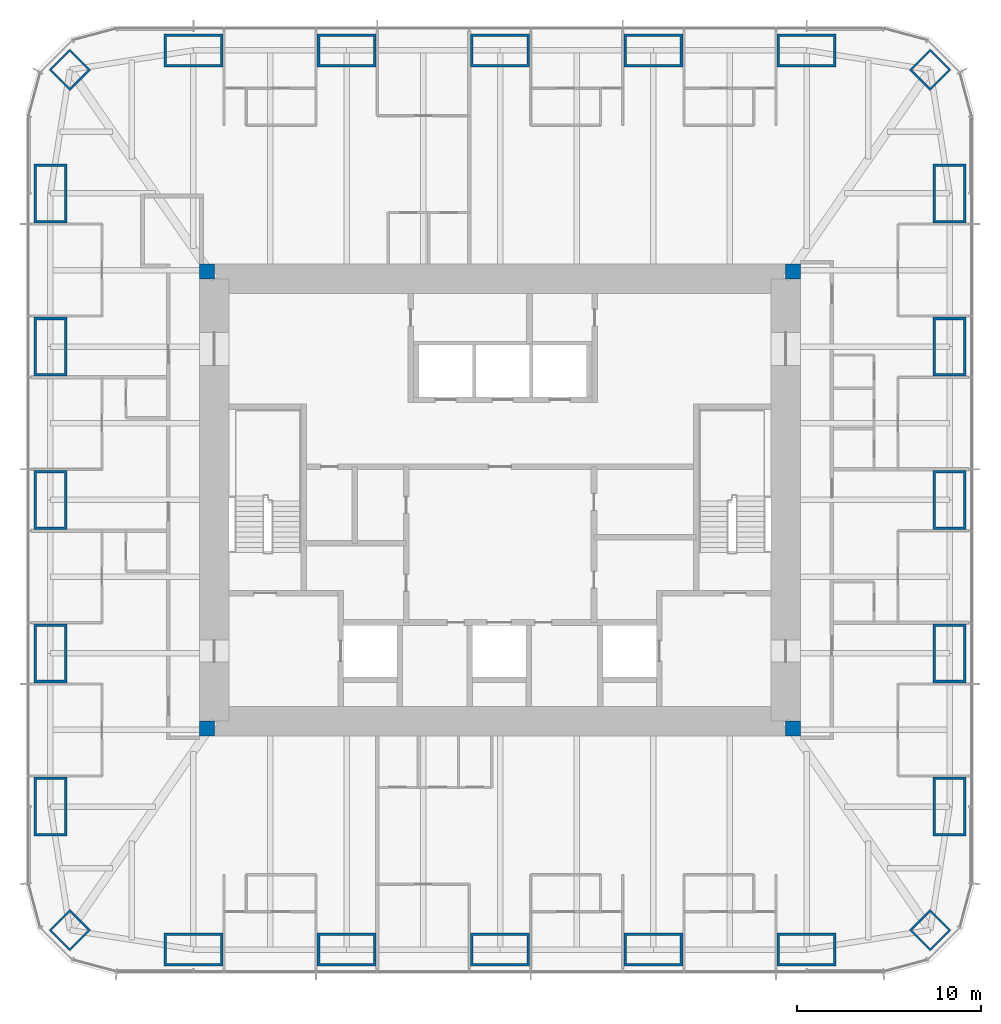
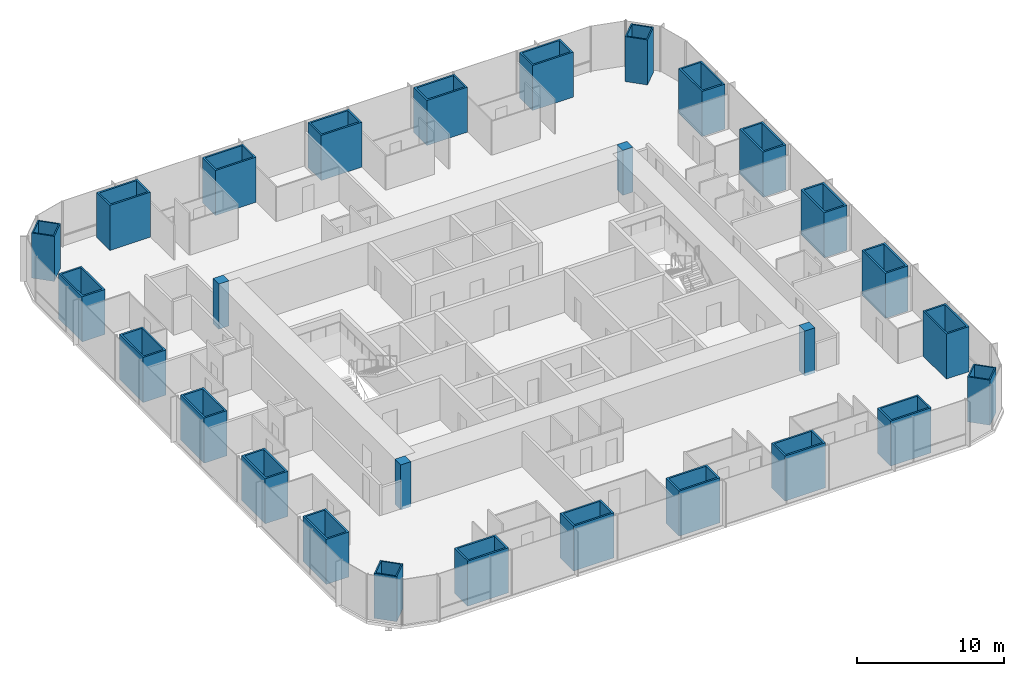
# One storey, part 1 of 13: 28 columns.
"""IFC4 building model written with IfcOpenShell, lengths in metres."""

from ifc_helpers import new_model, si_unit, direction, frame, origin, origin_2d, place, context, subcontext, project, spatial, rectangle, hollow_rectangle, extrude, material, material_profile, profile_set, type_object, element, save


model = new_model("IFC4")

# Units and contexts
model_context = context("Model", 3, precision=1e-05, world=origin(), true_north=direction((0.0, 1.0)))
body_context = subcontext(model_context, "Body", "Model", "MODEL_VIEW")
ifc_project = project(units=[si_unit("LENGTHUNIT", "METRE"), si_unit("AREAUNIT", "SQUARE_METRE"), si_unit("VOLUMEUNIT", "CUBIC_METRE"), si_unit("PLANEANGLEUNIT", "RADIAN"), si_unit("MASSUNIT", "GRAM", prefix="KILO")], contexts=[model_context])

# Site, building, storey
site_placement = place(None, origin())
site = spatial("IfcSite", under=ifc_project, at=site_placement, CompositionType="ELEMENT")
building_placement = place(site_placement, origin())
building = spatial("IfcBuilding", under=site, at=building_placement, Name="Khuree Lantern Residences", CompositionType="ELEMENT")
storey_placement = place(building_placement, frame((0.0, 0.0, 263.25)))
storey = spatial("IfcBuildingStorey", under=building, at=storey_placement, Name="L66", CompositionType="ELEMENT", Elevation=263.25)

# Columns
ifc_material_1 = material(Name="Steel S355 CFT welded box", Category="steel")
ifc_material_profile_1 = material_profile(ifc_material_1, hollow_rectangle(XDim=1.60009765625, YDim=1.60009765625, WallThickness=0.10009765625, at=origin_2d()), Name="WELDED BOX 1600X1600X100")
ifc_profile_set_1 = profile_set([ifc_material_profile_1], Name="Steel S355 CFT welded box")
column_type_1 = type_object("IfcColumnType", Name="CC1600 PERIMETER CORNER MEGA COLUMN WELDED BOX 1600X1600X100", PredefinedType="COLUMN", material=ifc_profile_set_1)
for number, where, z_axis, x_axis, name in (
    (1, (23.345703125, 23.345703125, 0.0), (0.0, 0.0, 1.0), (0.707106781187, -0.707106781187, 0.0), "Perimeter column NE"),
    (2, (23.345703125, -23.345703125, 0.0), (0.0, 0.0, 1.0), (0.707106781187, 0.707106781187, 0.0), "Perimeter column SE"),
    (3, (-23.345703125, -23.345703125, 0.0), (0.0, 0.0, 1.0), (0.707106781187, -0.707106781187, 0.0), "Perimeter column SW"),
    (4, (-23.345703125, 23.345703125, 0.0), (0.0, 0.0, 1.0), (0.707106781187, 0.707106781187, 0.0), "Perimeter column NW"),
):
    element("IfcColumn", number, at=place(storey_placement, frame(where, z_axis=z_axis, x_axis=x_axis)), inside=storey, type_object=column_type_1, Name=name, PredefinedType="COLUMN", context=body_context, shape_type="SweptSolid", body=[
        extrude(hollow_rectangle(XDim=1.60009765625, YDim=1.60009765625, WallThickness=0.10009765625, at=origin_2d()), origin(), (0.0, 0.0, 1.0), 3.75),
    ])
ifc_material_2 = material(Name="Concrete C50/60", Category="concrete")
ifc_material_profile_2 = material_profile(ifc_material_2, rectangle(XDim=0.800048828125, YDim=0.800048828125, at=origin_2d()), Name="RC 800X800")
ifc_profile_set_2 = profile_set([ifc_material_profile_2], Name="Concrete C50/60")
column_type_2 = type_object("IfcColumnType", Name="CP800-C50 CORE CORNER PIER C50 RC 800X800", PredefinedType="COLUMN", material=ifc_profile_set_2)
for number, where, z_axis, x_axis, name in (
    (5, (15.89990234375, 12.39990234375, -0.25), (0.0, 0.0, 1.0), (1.0, 0.0, 0.0), "Core corner pier NE"),
    (6, (-15.89990234375, 12.39990234375, -0.25), (0.0, 0.0, 1.0), (1.0, 0.0, 0.0), "Core corner pier NW"),
    (7, (-15.89990234375, -12.39990234375, -0.25), (0.0, 0.0, 1.0), (1.0, 0.0, 0.0), "Core corner pier SW"),
    (8, (15.89990234375, -12.39990234375, -0.25), (0.0, 0.0, 1.0), (1.0, 0.0, 0.0), "Core corner pier SE"),
):
    element("IfcColumn", number, at=place(storey_placement, frame(where, z_axis=z_axis, x_axis=x_axis)), inside=storey, type_object=column_type_2, Name=name, PredefinedType="COLUMN", context=body_context, shape_type="SweptSolid", body=[
        extrude(rectangle(XDim=0.800048828125, YDim=0.800048828125, at=origin_2d()), origin(), (0.0, 0.0, 1.0), 3.75),
    ])
ifc_material_profile_3 = material_profile(ifc_material_1, hollow_rectangle(XDim=3.199951171875, YDim=1.800048828125, WallThickness=0.139892578125, at=origin_2d()), Name="WELDED BOX 3200X1800X140")
ifc_profile_set_3 = profile_set([ifc_material_profile_3], Name="Steel S355 CFT welded box")
column_type_3 = type_object("IfcColumnType", Name="SC3 PERIMETER MEGA COLUMN WELDED BOX 3200X1800X140", PredefinedType="COLUMN", material=ifc_profile_set_3)
for number, where, z_axis, x_axis, name in (
    (9, (-16.639892578125, 24.39990234375, 0.0), (0.0, 0.0, 1.0), (1.0, 0.0, 0.0), "Perimeter column N1"),
    (10, (-8.320068359375, 24.39990234375, 0.0), (0.0, 0.0, 1.0), (1.0, 0.0, 0.0), "Perimeter column N2"),
    (11, (0.0, 24.39990234375, 0.0), (0.0, 0.0, 1.0), (1.0, 0.0, 0.0), "Perimeter column N3"),
    (12, (8.320068359375, 24.39990234375, 0.0), (0.0, 0.0, 1.0), (1.0, 0.0, 0.0), "Perimeter column N4"),
    (13, (16.639892578125, 24.39990234375, 0.0), (0.0, 0.0, 1.0), (1.0, 0.0, 0.0), "Perimeter column N5"),
    (14, (24.39990234375, 16.639892578125, 0.0), (0.0, 0.0, 1.0), (0.0, 1.0, 0.0), "Perimeter column E1"),
    (15, (24.39990234375, 8.320068359375, 0.0), (0.0, 0.0, 1.0), (0.0, 1.0, 0.0), "Perimeter column E2"),
    (16, (24.39990234375, 0.0, 0.0), (0.0, 0.0, 1.0), (0.0, 1.0, 0.0), "Perimeter column E3"),
    (17, (24.39990234375, -8.320068359375, 0.0), (0.0, 0.0, 1.0), (0.0, 1.0, 0.0), "Perimeter column E4"),
    (18, (24.39990234375, -16.639892578125, 0.0), (0.0, 0.0, 1.0), (0.0, 1.0, 0.0), "Perimeter column E5"),
    (19, (16.639892578125, -24.39990234375, 0.0), (0.0, 0.0, 1.0), (1.0, 0.0, 0.0), "Perimeter column S1"),
    (20, (8.320068359375, -24.39990234375, 0.0), (0.0, 0.0, 1.0), (1.0, 0.0, 0.0), "Perimeter column S2"),
    (21, (0.0, -24.39990234375, 0.0), (0.0, 0.0, 1.0), (1.0, 0.0, 0.0), "Perimeter column S3"),
    (22, (-8.320068359375, -24.39990234375, 0.0), (0.0, 0.0, 1.0), (1.0, 0.0, 0.0), "Perimeter column S4"),
    (23, (-16.639892578125, -24.39990234375, 0.0), (0.0, 0.0, 1.0), (1.0, 0.0, 0.0), "Perimeter column S5"),
    (24, (-24.39990234375, -16.639892578125, 0.0), (0.0, 0.0, 1.0), (0.0, 1.0, 0.0), "Perimeter column W1"),
    (25, (-24.39990234375, -8.320068359375, 0.0), (0.0, 0.0, 1.0), (0.0, 1.0, 0.0), "Perimeter column W2"),
    (26, (-24.39990234375, 0.0, 0.0), (0.0, 0.0, 1.0), (0.0, 1.0, 0.0), "Perimeter column W3"),
    (27, (-24.39990234375, 8.320068359375, 0.0), (0.0, 0.0, 1.0), (0.0, 1.0, 0.0), "Perimeter column W4"),
    (28, (-24.39990234375, 16.639892578125, 0.0), (0.0, 0.0, 1.0), (0.0, 1.0, 0.0), "Perimeter column W5"),
):
    element("IfcColumn", number, at=place(storey_placement, frame(where, z_axis=z_axis, x_axis=x_axis)), inside=storey, type_object=column_type_3, Name=name, PredefinedType="COLUMN", context=body_context, shape_type="SweptSolid", body=[
        extrude(hollow_rectangle(XDim=3.199951171875, YDim=1.800048828125, WallThickness=0.139892578125, at=origin_2d()), origin(), (0.0, 0.0, 1.0), 3.75),
    ])

save(model, "model.ifc")
